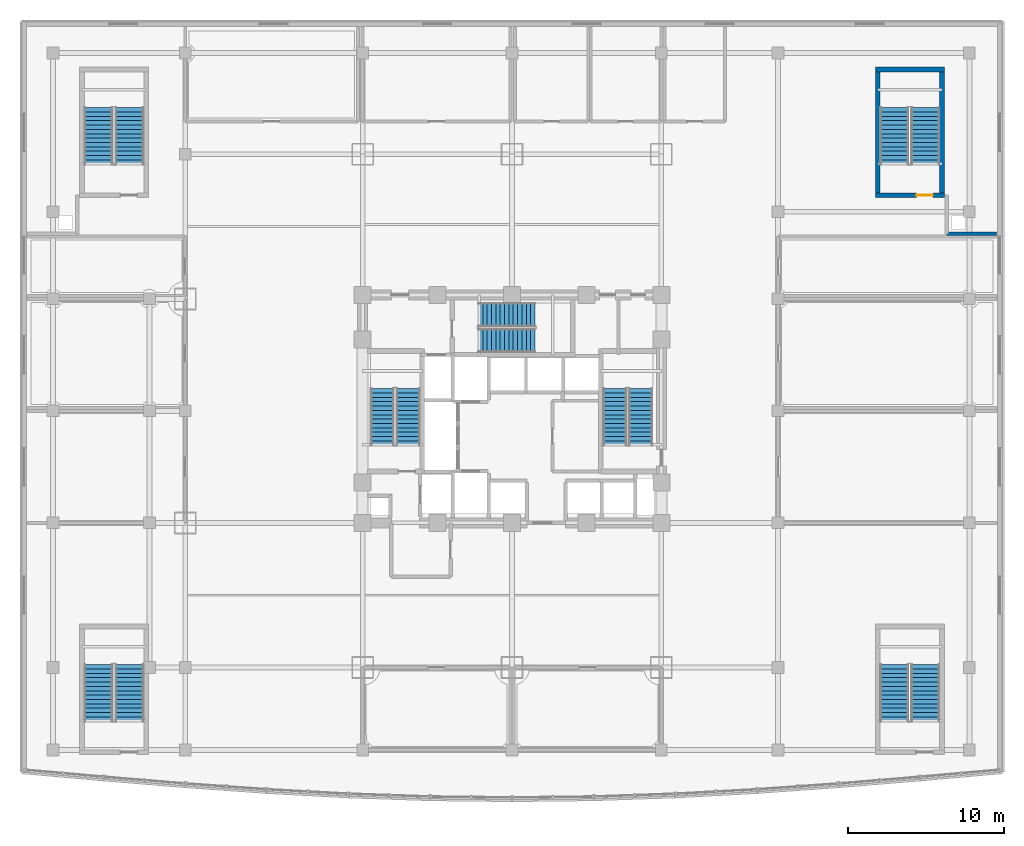
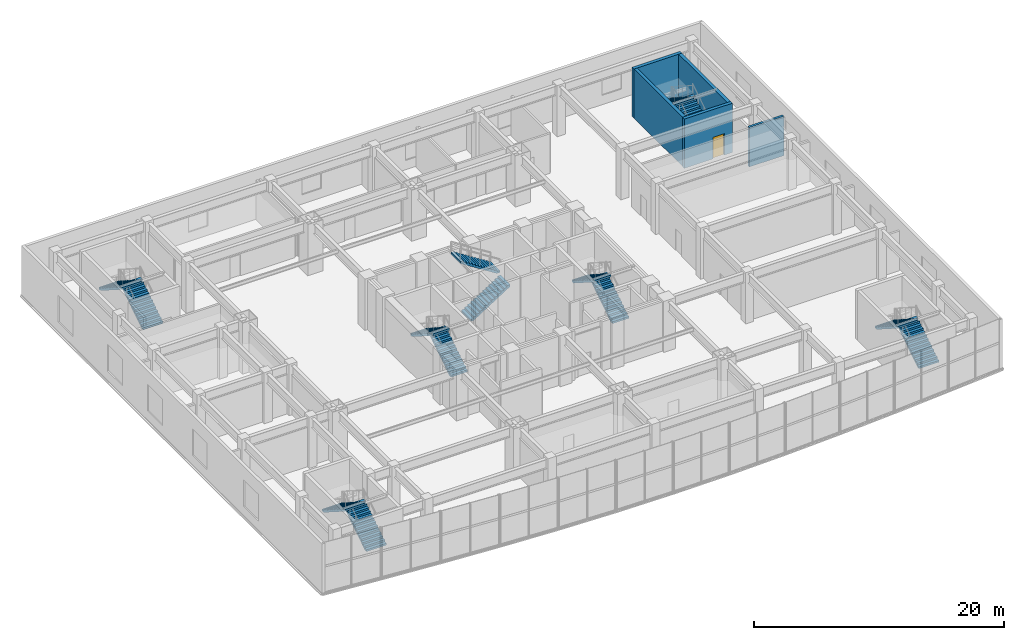
# One storey, part 15 of 24: 14 stair flights, 5 walls, 1 door, 1 opening, 7 elements without a shape of their own.
"""IFC4 building model written with IfcOpenShell, lengths in metres."""

from ifc_helpers import new_model, si_unit, direction, frame, frame_2d, origin, place, context, subcontext, project, spatial, polyline, rectangle, outline, extrude, material, layer, layer_set, type_object, element, fill, aggregate, save


model = new_model("IFC4")

# Units and contexts
model_context = context("Model", 3, precision=1e-05, world=origin(), true_north=direction((0.0, 1.0)))
body_context = subcontext(model_context, "Body", "Model", "MODEL_VIEW")
ifc_project = project(units=[si_unit("LENGTHUNIT", "METRE"), si_unit("AREAUNIT", "SQUARE_METRE"), si_unit("VOLUMEUNIT", "CUBIC_METRE"), si_unit("PLANEANGLEUNIT", "RADIAN"), si_unit("MASSUNIT", "GRAM", prefix="KILO")], contexts=[model_context])

# Site, building, storey
site_placement = place(None, origin())
site = spatial("IfcSite", under=ifc_project, at=site_placement, CompositionType="ELEMENT")
building_placement = place(site_placement, origin())
building = spatial("IfcBuilding", under=site, at=building_placement, Name="Vantalir Tower", CompositionType="ELEMENT")
storey_placement = place(building_placement, frame((0.0, 0.0, 11.0)))
storey = spatial("IfcBuildingStorey", under=building, at=storey_placement, Name="L02", CompositionType="ELEMENT", Elevation=11.0)

# Wall
ifc_material_1 = material(Name="Concrete blockwork with fireboard lining", Category="masonry")
ifc_layer_1 = layer(ifc_material_1, 0.219970703125)
ifc_layer_set_1 = layer_set([ifc_layer_1], Name="Concrete blockwork with fireboard lining")
wall_type_1 = type_object("IfcWallType", Name="WL-FFL-220", PredefinedType="PARTITIONING", material=ifc_layer_set_1)
wall_1_placement = place(storey_placement, frame((59.449951171875, 36.3798828125, 0.0), z_axis=(0.0, 0.0, 1.0), x_axis=(1.0, 0.0, 0.0)))
element("IfcWall", 1, at=wall_1_placement, inside=storey, type_object=wall_type_1, Name="Floor 2 North-East Service Riser South Wall", PredefinedType="PARTITIONING", context=body_context, shape_type="SweptSolid", body=[
    extrude(rectangle(XDim=3.199951171875, YDim=0.219970703125, at=frame_2d((1.60009765625, 0.0))), origin(), (0.0, 0.0, 1.0), 3.867919921875),
])

# Wall, opening, door
ifc_material_2 = material(Name="Concrete C50/60", Category="concrete")
ifc_layer_2 = layer(ifc_material_2, 0.300048828125)
ifc_layer_set_2 = layer_set([ifc_layer_2], Name="Concrete C50/60")
wall_type_2 = type_object("IfcWallType", Name="WL-STAIR-300", PredefinedType="SHEAR", material=ifc_layer_set_2)
wall_2_placement = place(storey_placement, frame((54.85009765625, 38.860107421875, 0.0), z_axis=(0.0, 0.0, 1.0), x_axis=(1.0, 0.0, 0.0)))
wall_2 = element("IfcWall", 2, at=wall_2_placement, inside=storey, type_object=wall_type_2, Name="Floor 2 PST2 South Wall", PredefinedType="SHEAR", context=body_context, shape_type="SweptSolid", body=[
    extrude(rectangle(XDim=4.449951171875, YDim=0.300048828125, at=frame_2d((2.22509765625, 0.0))), origin(), (0.0, 0.0, 1.0), 4.820068359375),
])
opening_placement = place(wall_2_placement, frame((2.64990234375, 0.0, 0.0)))
opening = element("IfcOpeningElement", 3, at=opening_placement, cuts=wall_2, Name="Opening D-ST", PredefinedType="OPENING", context=body_context, shape_type="SweptSolid", body=[
    extrude(rectangle(XDim=1.050048828125, YDim=2.10009765625, at=frame_2d((0.52490234375, 1.050048828125))), frame((0.0, 0.159912109375, 0.0), z_axis=(0.0, -1.0, 0.0), x_axis=(1.0, 0.0, 0.0)), (0.0, 0.0, 1.0), 0.320068359375),
])
ifc_material_3 = material(Name="Fire-rated steel door leaf", Category="steel")
door_type = type_object("IfcDoorType", Name="DR-FIRE-STAIR-1050", OperationType="NOTDEFINED", PredefinedType="DOOR", material=ifc_material_3)
door_placement = place(opening_placement, origin())
door = element("IfcDoor", 4, at=door_placement, inside=storey, type_object=door_type, Name="Floor 2 Podium Stair PST2 Fire Door", OperationType="SINGLE_SWING_LEFT", OverallHeight=2.10009765625, OverallWidth=1.050048828125, PredefinedType="DOOR", context=body_context, shape_type="SweptSolid", body=[
    extrude(rectangle(XDim=1.050048828125, YDim=2.10009765625, at=frame_2d((0.52490234375, 1.050048828125))), frame((0.0, 0.02490234375, 0.0), z_axis=(0.0, -1.0, 0.0), x_axis=(1.0, 0.0, 0.0)), (0.0, 0.0, 1.0), 0.050048828125),
])
fill(opening, door)

# Walls
wall_3_placement = place(storey_placement, frame((54.85009765625, 46.93994140625, 0.0), z_axis=(0.0, 0.0, 1.0), x_axis=(1.0, 0.0, 0.0)))
element("IfcWall", 5, at=wall_3_placement, inside=storey, type_object=wall_type_2, Name="Floor 2 PST2 North Wall", PredefinedType="SHEAR", context=body_context, shape_type="SweptSolid", body=[
    extrude(rectangle(XDim=4.449951171875, YDim=0.300048828125, at=frame_2d((2.22509765625, 0.0))), origin(), (0.0, 0.0, 1.0), 4.820068359375),
])
for number, where, z_axis, x_axis, name in (
    (6, (55.010009765625, 38.860107421875, 0.0), (0.0, 0.0, 1.0), (0.0, 1.0, 0.0), "Floor 2 PST2 West Wall"),
    (7, (59.139892578125, 38.860107421875, 0.0), (0.0, 0.0, 1.0), (0.0, 1.0, 0.0), "Floor 2 PST2 East Wall"),
):
    element("IfcWall", number, at=place(storey_placement, frame(where, z_axis=z_axis, x_axis=x_axis)), inside=storey, type_object=wall_type_2, Name=name, PredefinedType="SHEAR", context=body_context, shape_type="SweptSolid", body=[
        extrude(rectangle(XDim=8.079833984375, YDim=0.300048828125, at=frame_2d((4.0400390625, 0.0))), origin(), (0.0, 0.0, 1.0), 4.820068359375),
    ])

# Stair, stair flights
ifc_material_4 = material(Name="Concrete C40/50", Category="concrete")
stair_type_1 = type_object("IfcStairType", Name="STR-CORE-1450", PredefinedType="HALF_TURN_STAIR", material=ifc_material_4)
stair_1_placement = place(storey_placement, origin())
stair_1 = element("IfcStair", 8, at=stair_1_placement, inside=storey, type_object=stair_type_1, Name="Level 02 Core Exit Stair 1", PredefinedType="HALF_TURN_STAIR")
stair_flight_type_1 = type_object("IfcStairFlightType", Name="FLT-CORE-1450", PredefinedType="STRAIGHT", material=ifc_material_4)
stair_flight_1_placement = place(storey_placement, frame((24.830078125, 22.7900390625, 0.0), z_axis=(0.0, 0.0, 1.0), x_axis=(0.0, 1.0, 0.0)))
stair_flight_1 = element("IfcStairFlight", 9, at=stair_flight_1_placement, type_object=stair_flight_type_1, Name="ST1 flight 1", NumberOfRisers=14, NumberOfTreads=13, PredefinedType="STRAIGHT", RiserHeight=0.178571429, TreadLength=0.28, context=body_context, shape_type="SweptSolid", body=[
    extrude(outline(polyline([(0.0, 0.0), (0.0, 0.178466796875), (0.280029296875, 0.178466796875), (0.280029296875, 0.357177734375), (0.56005859375, 0.357177734375), (0.56005859375, 0.53564453125), (0.840087890625, 0.53564453125), (0.840087890625, 0.71435546875), (1.1201171875, 0.71435546875), (1.1201171875, 0.892822265625), (1.39990234375, 0.892822265625), (1.39990234375, 1.071533203125), (1.679931640625, 1.071533203125), (1.679931640625, 1.25), (1.9599609375, 1.25), (1.9599609375, 1.428466796875), (2.239990234375, 1.428466796875), (2.239990234375, 1.607177734375), (2.52001953125, 1.607177734375), (2.52001953125, 1.78564453125), (2.800048828125, 1.78564453125), (2.800048828125, 1.96435546875), (3.080078125, 1.96435546875), (3.080078125, 2.142822265625), (3.360107421875, 2.142822265625), (3.360107421875, 2.321533203125), (3.639892578125, 2.321533203125), (3.639892578125, 2.5), (3.639892578125, 2.1435546875), (0.27880859375, 0.0), (0.0, 0.0)])), frame((0.0, 0.77001953125, 0.0), z_axis=(0.0, -1.0, 0.0), x_axis=(1.0, 0.0, 0.0)), (0.0, 0.0, 1.0), 1.5400390625),
])
stair_flight_2_placement = place(storey_placement, frame((23.169921875, 26.429931640625, 2.5), z_axis=(0.0, 0.0, 1.0), x_axis=(0.0, -1.0, 0.0)))
stair_flight_2 = element("IfcStairFlight", 10, at=stair_flight_2_placement, type_object=stair_flight_type_1, Name="ST1 flight 2", NumberOfRisers=14, NumberOfTreads=13, PredefinedType="STRAIGHT", RiserHeight=0.178571429, TreadLength=0.28, context=body_context, shape_type="SweptSolid", body=[
    extrude(outline(polyline([(0.0, 0.0), (0.0, 0.178466796875), (0.280029296875, 0.178466796875), (0.280029296875, 0.357177734375), (0.56005859375, 0.357177734375), (0.56005859375, 0.53564453125), (0.840087890625, 0.53564453125), (0.840087890625, 0.71435546875), (1.1201171875, 0.71435546875), (1.1201171875, 0.892822265625), (1.39990234375, 0.892822265625), (1.39990234375, 1.071533203125), (1.679931640625, 1.071533203125), (1.679931640625, 1.25), (1.9599609375, 1.25), (1.9599609375, 1.428466796875), (2.239990234375, 1.428466796875), (2.239990234375, 1.607177734375), (2.52001953125, 1.607177734375), (2.52001953125, 1.78564453125), (2.800048828125, 1.78564453125), (2.800048828125, 1.96435546875), (3.080078125, 1.96435546875), (3.080078125, 2.142822265625), (3.360107421875, 2.142822265625), (3.360107421875, 2.321533203125), (3.639892578125, 2.321533203125), (3.639892578125, 2.5), (3.639892578125, 2.1435546875), (0.27880859375, 0.0), (0.0, 0.0)])), frame((0.0, 0.77001953125, 0.0), z_axis=(0.0, -1.0, 0.0), x_axis=(1.0, 0.0, 0.0)), (0.0, 0.0, 1.0), 1.5400390625),
])
aggregate(stair_1, [stair_flight_1, stair_flight_2])

stair_2_placement = place(storey_placement, origin())
stair_2 = element("IfcStair", 11, at=stair_2_placement, inside=storey, type_object=stair_type_1, Name="Level 02 Core Exit Stair 2", PredefinedType="HALF_TURN_STAIR")
stair_flight_3_placement = place(storey_placement, frame((39.780029296875, 22.7900390625, 0.0), z_axis=(0.0, 0.0, 1.0), x_axis=(0.0, 1.0, 0.0)))
stair_flight_3 = element("IfcStairFlight", 12, at=stair_flight_3_placement, type_object=stair_flight_type_1, Name="ST2 flight 1", NumberOfRisers=14, NumberOfTreads=13, PredefinedType="STRAIGHT", RiserHeight=0.178571429, TreadLength=0.28, context=body_context, shape_type="SweptSolid", body=[
    extrude(outline(polyline([(0.0, 0.0), (0.0, 0.178466796875), (0.280029296875, 0.178466796875), (0.280029296875, 0.357177734375), (0.56005859375, 0.357177734375), (0.56005859375, 0.53564453125), (0.840087890625, 0.53564453125), (0.840087890625, 0.71435546875), (1.1201171875, 0.71435546875), (1.1201171875, 0.892822265625), (1.39990234375, 0.892822265625), (1.39990234375, 1.071533203125), (1.679931640625, 1.071533203125), (1.679931640625, 1.25), (1.9599609375, 1.25), (1.9599609375, 1.428466796875), (2.239990234375, 1.428466796875), (2.239990234375, 1.607177734375), (2.52001953125, 1.607177734375), (2.52001953125, 1.78564453125), (2.800048828125, 1.78564453125), (2.800048828125, 1.96435546875), (3.080078125, 1.96435546875), (3.080078125, 2.142822265625), (3.360107421875, 2.142822265625), (3.360107421875, 2.321533203125), (3.639892578125, 2.321533203125), (3.639892578125, 2.5), (3.639892578125, 2.1435546875), (0.27880859375, 0.0), (0.0, 0.0)])), frame((0.0, 0.77001953125, 0.0), z_axis=(0.0, -1.0, 0.0), x_axis=(1.0, 0.0, 0.0)), (0.0, 0.0, 1.0), 1.5400390625),
])
stair_flight_4_placement = place(storey_placement, frame((38.1201171875, 26.429931640625, 2.5), z_axis=(0.0, 0.0, 1.0), x_axis=(0.0, -1.0, 0.0)))
stair_flight_4 = element("IfcStairFlight", 13, at=stair_flight_4_placement, type_object=stair_flight_type_1, Name="ST2 flight 2", NumberOfRisers=14, NumberOfTreads=13, PredefinedType="STRAIGHT", RiserHeight=0.178571429, TreadLength=0.28, context=body_context, shape_type="SweptSolid", body=[
    extrude(outline(polyline([(0.0, 0.0), (0.0, 0.178466796875), (0.280029296875, 0.178466796875), (0.280029296875, 0.357177734375), (0.56005859375, 0.357177734375), (0.56005859375, 0.53564453125), (0.840087890625, 0.53564453125), (0.840087890625, 0.71435546875), (1.1201171875, 0.71435546875), (1.1201171875, 0.892822265625), (1.39990234375, 0.892822265625), (1.39990234375, 1.071533203125), (1.679931640625, 1.071533203125), (1.679931640625, 1.25), (1.9599609375, 1.25), (1.9599609375, 1.428466796875), (2.239990234375, 1.428466796875), (2.239990234375, 1.607177734375), (2.52001953125, 1.607177734375), (2.52001953125, 1.78564453125), (2.800048828125, 1.78564453125), (2.800048828125, 1.96435546875), (3.080078125, 1.96435546875), (3.080078125, 2.142822265625), (3.360107421875, 2.142822265625), (3.360107421875, 2.321533203125), (3.639892578125, 2.321533203125), (3.639892578125, 2.5), (3.639892578125, 2.1435546875), (0.27880859375, 0.0), (0.0, 0.0)])), frame((0.0, 0.77001953125, 0.0), z_axis=(0.0, -1.0, 0.0), x_axis=(1.0, 0.0, 0.0)), (0.0, 0.0, 1.0), 1.5400390625),
])
aggregate(stair_2, [stair_flight_3, stair_flight_4])

stair_3_placement = place(storey_placement, origin())
stair_3 = element("IfcStair", 14, at=stair_3_placement, inside=storey, type_object=stair_type_1, Name="Level 02 Core Exit Stair 3", PredefinedType="HALF_TURN_STAIR")
stair_flight_5_placement = place(storey_placement, frame((29.340087890625, 29.52001953125, 0.0), z_axis=(0.0, 0.0, 1.0), x_axis=(1.0, 0.0, 0.0)))
stair_flight_5 = element("IfcStairFlight", 15, at=stair_flight_5_placement, type_object=stair_flight_type_1, Name="ST3 flight 1", NumberOfRisers=14, NumberOfTreads=13, PredefinedType="STRAIGHT", RiserHeight=0.178571429, TreadLength=0.28, context=body_context, shape_type="SweptSolid", body=[
    extrude(outline(polyline([(0.0, 0.0), (0.0, 0.178466796875), (0.280029296875, 0.178466796875), (0.280029296875, 0.357177734375), (0.56005859375, 0.357177734375), (0.56005859375, 0.53564453125), (0.840087890625, 0.53564453125), (0.840087890625, 0.71435546875), (1.1201171875, 0.71435546875), (1.1201171875, 0.892822265625), (1.39990234375, 0.892822265625), (1.39990234375, 1.071533203125), (1.679931640625, 1.071533203125), (1.679931640625, 1.25), (1.9599609375, 1.25), (1.9599609375, 1.428466796875), (2.239990234375, 1.428466796875), (2.239990234375, 1.607177734375), (2.52001953125, 1.607177734375), (2.52001953125, 1.78564453125), (2.800048828125, 1.78564453125), (2.800048828125, 1.96435546875), (3.080078125, 1.96435546875), (3.080078125, 2.142822265625), (3.360107421875, 2.142822265625), (3.360107421875, 2.321533203125), (3.639892578125, 2.321533203125), (3.639892578125, 2.5), (3.639892578125, 2.1435546875), (0.27880859375, 0.0), (0.0, 0.0)])), frame((0.0, 0.77001953125, 0.0), z_axis=(0.0, -1.0, 0.0), x_axis=(1.0, 0.0, 0.0)), (0.0, 0.0, 1.0), 1.5400390625),
])
stair_flight_6_placement = place(storey_placement, frame((32.97998046875, 31.179931640625, 2.5), z_axis=(0.0, 0.0, 1.0), x_axis=(-1.0, 0.0, 0.0)))
stair_flight_6 = element("IfcStairFlight", 16, at=stair_flight_6_placement, type_object=stair_flight_type_1, Name="ST3 flight 2", NumberOfRisers=14, NumberOfTreads=13, PredefinedType="STRAIGHT", RiserHeight=0.178571429, TreadLength=0.28, context=body_context, shape_type="SweptSolid", body=[
    extrude(outline(polyline([(0.0, 0.0), (0.0, 0.178466796875), (0.280029296875, 0.178466796875), (0.280029296875, 0.357177734375), (0.56005859375, 0.357177734375), (0.56005859375, 0.53564453125), (0.840087890625, 0.53564453125), (0.840087890625, 0.71435546875), (1.1201171875, 0.71435546875), (1.1201171875, 0.892822265625), (1.39990234375, 0.892822265625), (1.39990234375, 1.071533203125), (1.679931640625, 1.071533203125), (1.679931640625, 1.25), (1.9599609375, 1.25), (1.9599609375, 1.428466796875), (2.239990234375, 1.428466796875), (2.239990234375, 1.607177734375), (2.52001953125, 1.607177734375), (2.52001953125, 1.78564453125), (2.800048828125, 1.78564453125), (2.800048828125, 1.96435546875), (3.080078125, 1.96435546875), (3.080078125, 2.142822265625), (3.360107421875, 2.142822265625), (3.360107421875, 2.321533203125), (3.639892578125, 2.321533203125), (3.639892578125, 2.5), (3.639892578125, 2.1435546875), (0.27880859375, 0.0), (0.0, 0.0)])), frame((0.0, 0.77001953125, 0.0), z_axis=(0.0, -1.0, 0.0), x_axis=(1.0, 0.0, 0.0)), (0.0, 0.0, 1.0), 1.5400390625),
])
aggregate(stair_3, [stair_flight_5, stair_flight_6])

stair_type_2 = type_object("IfcStairType", Name="STR-POD-1550", PredefinedType="HALF_TURN_STAIR", material=ifc_material_4)
stair_4_placement = place(storey_placement, origin())
stair_4 = element("IfcStair", 17, at=stair_4_placement, inside=storey, type_object=stair_type_2, Name="Level 02 Podium Exit Stair 1", PredefinedType="HALF_TURN_STAIR")
stair_flight_type_2 = type_object("IfcStairFlightType", Name="FLT-POD-1550", PredefinedType="STRAIGHT", material=ifc_material_4)
stair_flight_7_placement = place(storey_placement, frame((6.925048828125, 40.85009765625, 0.0), z_axis=(0.0, 0.0, 1.0), x_axis=(0.0, 1.0, 0.0)))
stair_flight_7 = element("IfcStairFlight", 18, at=stair_flight_7_placement, type_object=stair_flight_type_2, Name="PST1 flight 1", NumberOfRisers=14, NumberOfTreads=13, PredefinedType="STRAIGHT", RiserHeight=0.178571429, TreadLength=0.28, context=body_context, shape_type="SweptSolid", body=[
    extrude(outline(polyline([(0.0, 0.0), (0.0, 0.178466796875), (0.280029296875, 0.178466796875), (0.280029296875, 0.357177734375), (0.56005859375, 0.357177734375), (0.56005859375, 0.53564453125), (0.840087890625, 0.53564453125), (0.840087890625, 0.71435546875), (1.1201171875, 0.71435546875), (1.1201171875, 0.892822265625), (1.39990234375, 0.892822265625), (1.39990234375, 1.071533203125), (1.679931640625, 1.071533203125), (1.679931640625, 1.25), (1.9599609375, 1.25), (1.9599609375, 1.428466796875), (2.239990234375, 1.428466796875), (2.239990234375, 1.607177734375), (2.52001953125, 1.607177734375), (2.52001953125, 1.78564453125), (2.800048828125, 1.78564453125), (2.800048828125, 1.96435546875), (3.080078125, 1.96435546875), (3.080078125, 2.142822265625), (3.360107421875, 2.142822265625), (3.360107421875, 2.321533203125), (3.639892578125, 2.321533203125), (3.639892578125, 2.5), (3.639892578125, 2.1435546875), (0.27880859375, 0.0), (0.0, 0.0)])), frame((0.0, 0.925048828125, 0.0), z_axis=(0.0, -1.0, 0.0), x_axis=(1.0, 0.0, 0.0)), (0.0, 0.0, 1.0), 1.85009765625),
])
stair_flight_8_placement = place(storey_placement, frame((4.925048828125, 44.489990234375, 2.5), z_axis=(0.0, 0.0, 1.0), x_axis=(0.0, -1.0, 0.0)))
stair_flight_8 = element("IfcStairFlight", 19, at=stair_flight_8_placement, type_object=stair_flight_type_2, Name="PST1 flight 2", NumberOfRisers=14, NumberOfTreads=13, PredefinedType="STRAIGHT", RiserHeight=0.178571429, TreadLength=0.28, context=body_context, shape_type="SweptSolid", body=[
    extrude(outline(polyline([(0.0, 0.0), (0.0, 0.178466796875), (0.280029296875, 0.178466796875), (0.280029296875, 0.357177734375), (0.56005859375, 0.357177734375), (0.56005859375, 0.53564453125), (0.840087890625, 0.53564453125), (0.840087890625, 0.71435546875), (1.1201171875, 0.71435546875), (1.1201171875, 0.892822265625), (1.39990234375, 0.892822265625), (1.39990234375, 1.071533203125), (1.679931640625, 1.071533203125), (1.679931640625, 1.25), (1.9599609375, 1.25), (1.9599609375, 1.428466796875), (2.239990234375, 1.428466796875), (2.239990234375, 1.607177734375), (2.52001953125, 1.607177734375), (2.52001953125, 1.78564453125), (2.800048828125, 1.78564453125), (2.800048828125, 1.96435546875), (3.080078125, 1.96435546875), (3.080078125, 2.142822265625), (3.360107421875, 2.142822265625), (3.360107421875, 2.321533203125), (3.639892578125, 2.321533203125), (3.639892578125, 2.5), (3.639892578125, 2.1435546875), (0.27880859375, 0.0), (0.0, 0.0)])), frame((0.0, 0.925048828125, 0.0), z_axis=(0.0, -1.0, 0.0), x_axis=(1.0, 0.0, 0.0)), (0.0, 0.0, 1.0), 1.85009765625),
])
aggregate(stair_4, [stair_flight_7, stair_flight_8])

stair_5_placement = place(storey_placement, origin())
stair_5 = element("IfcStair", 20, at=stair_5_placement, inside=storey, type_object=stair_type_2, Name="Level 02 Podium Exit Stair 2", PredefinedType="HALF_TURN_STAIR")
stair_flight_9_placement = place(storey_placement, frame((58.074951171875, 40.85009765625, 0.0), z_axis=(0.0, 0.0, 1.0), x_axis=(0.0, 1.0, 0.0)))
stair_flight_9 = element("IfcStairFlight", 21, at=stair_flight_9_placement, type_object=stair_flight_type_2, Name="PST2 flight 1", NumberOfRisers=14, NumberOfTreads=13, PredefinedType="STRAIGHT", RiserHeight=0.178571429, TreadLength=0.28, context=body_context, shape_type="SweptSolid", body=[
    extrude(outline(polyline([(0.0, 0.0), (0.0, 0.178466796875), (0.280029296875, 0.178466796875), (0.280029296875, 0.357177734375), (0.56005859375, 0.357177734375), (0.56005859375, 0.53564453125), (0.840087890625, 0.53564453125), (0.840087890625, 0.71435546875), (1.1201171875, 0.71435546875), (1.1201171875, 0.892822265625), (1.39990234375, 0.892822265625), (1.39990234375, 1.071533203125), (1.679931640625, 1.071533203125), (1.679931640625, 1.25), (1.9599609375, 1.25), (1.9599609375, 1.428466796875), (2.239990234375, 1.428466796875), (2.239990234375, 1.607177734375), (2.52001953125, 1.607177734375), (2.52001953125, 1.78564453125), (2.800048828125, 1.78564453125), (2.800048828125, 1.96435546875), (3.080078125, 1.96435546875), (3.080078125, 2.142822265625), (3.360107421875, 2.142822265625), (3.360107421875, 2.321533203125), (3.639892578125, 2.321533203125), (3.639892578125, 2.5), (3.639892578125, 2.1435546875), (0.27880859375, 0.0), (0.0, 0.0)])), frame((0.0, 0.925048828125, 0.0), z_axis=(0.0, -1.0, 0.0), x_axis=(1.0, 0.0, 0.0)), (0.0, 0.0, 1.0), 1.85009765625),
])
stair_flight_10_placement = place(storey_placement, frame((56.074951171875, 44.489990234375, 2.5), z_axis=(0.0, 0.0, 1.0), x_axis=(0.0, -1.0, 0.0)))
stair_flight_10 = element("IfcStairFlight", 22, at=stair_flight_10_placement, type_object=stair_flight_type_2, Name="PST2 flight 2", NumberOfRisers=14, NumberOfTreads=13, PredefinedType="STRAIGHT", RiserHeight=0.178571429, TreadLength=0.28, context=body_context, shape_type="SweptSolid", body=[
    extrude(outline(polyline([(0.0, 0.0), (0.0, 0.178466796875), (0.280029296875, 0.178466796875), (0.280029296875, 0.357177734375), (0.56005859375, 0.357177734375), (0.56005859375, 0.53564453125), (0.840087890625, 0.53564453125), (0.840087890625, 0.71435546875), (1.1201171875, 0.71435546875), (1.1201171875, 0.892822265625), (1.39990234375, 0.892822265625), (1.39990234375, 1.071533203125), (1.679931640625, 1.071533203125), (1.679931640625, 1.25), (1.9599609375, 1.25), (1.9599609375, 1.428466796875), (2.239990234375, 1.428466796875), (2.239990234375, 1.607177734375), (2.52001953125, 1.607177734375), (2.52001953125, 1.78564453125), (2.800048828125, 1.78564453125), (2.800048828125, 1.96435546875), (3.080078125, 1.96435546875), (3.080078125, 2.142822265625), (3.360107421875, 2.142822265625), (3.360107421875, 2.321533203125), (3.639892578125, 2.321533203125), (3.639892578125, 2.5), (3.639892578125, 2.1435546875), (0.27880859375, 0.0), (0.0, 0.0)])), frame((0.0, 0.925048828125, 0.0), z_axis=(0.0, -1.0, 0.0), x_axis=(1.0, 0.0, 0.0)), (0.0, 0.0, 1.0), 1.85009765625),
])
aggregate(stair_5, [stair_flight_9, stair_flight_10])

stair_6_placement = place(storey_placement, origin())
stair_6 = element("IfcStair", 23, at=stair_6_placement, inside=storey, type_object=stair_type_2, Name="Level 02 Podium Exit Stair 3", PredefinedType="HALF_TURN_STAIR")
stair_flight_11_placement = place(storey_placement, frame((6.925048828125, 5.050048828125, 0.0), z_axis=(0.0, 0.0, 1.0), x_axis=(0.0, 1.0, 0.0)))
stair_flight_11 = element("IfcStairFlight", 24, at=stair_flight_11_placement, type_object=stair_flight_type_2, Name="PST3 flight 1", NumberOfRisers=14, NumberOfTreads=13, PredefinedType="STRAIGHT", RiserHeight=0.178571429, TreadLength=0.28, context=body_context, shape_type="SweptSolid", body=[
    extrude(outline(polyline([(0.0, 0.0), (0.0, 0.178466796875), (0.280029296875, 0.178466796875), (0.280029296875, 0.357177734375), (0.56005859375, 0.357177734375), (0.56005859375, 0.53564453125), (0.840087890625, 0.53564453125), (0.840087890625, 0.71435546875), (1.1201171875, 0.71435546875), (1.1201171875, 0.892822265625), (1.39990234375, 0.892822265625), (1.39990234375, 1.071533203125), (1.679931640625, 1.071533203125), (1.679931640625, 1.25), (1.9599609375, 1.25), (1.9599609375, 1.428466796875), (2.239990234375, 1.428466796875), (2.239990234375, 1.607177734375), (2.52001953125, 1.607177734375), (2.52001953125, 1.78564453125), (2.800048828125, 1.78564453125), (2.800048828125, 1.96435546875), (3.080078125, 1.96435546875), (3.080078125, 2.142822265625), (3.360107421875, 2.142822265625), (3.360107421875, 2.321533203125), (3.639892578125, 2.321533203125), (3.639892578125, 2.5), (3.639892578125, 2.1435546875), (0.27880859375, 0.0), (0.0, 0.0)])), frame((0.0, 0.925048828125, 0.0), z_axis=(0.0, -1.0, 0.0), x_axis=(1.0, 0.0, 0.0)), (0.0, 0.0, 1.0), 1.85009765625),
])
stair_flight_12_placement = place(storey_placement, frame((4.925048828125, 8.68994140625, 2.5), z_axis=(0.0, 0.0, 1.0), x_axis=(0.0, -1.0, 0.0)))
stair_flight_12 = element("IfcStairFlight", 25, at=stair_flight_12_placement, type_object=stair_flight_type_2, Name="PST3 flight 2", NumberOfRisers=14, NumberOfTreads=13, PredefinedType="STRAIGHT", RiserHeight=0.178571429, TreadLength=0.28, context=body_context, shape_type="SweptSolid", body=[
    extrude(outline(polyline([(0.0, 0.0), (0.0, 0.178466796875), (0.280029296875, 0.178466796875), (0.280029296875, 0.357177734375), (0.56005859375, 0.357177734375), (0.56005859375, 0.53564453125), (0.840087890625, 0.53564453125), (0.840087890625, 0.71435546875), (1.1201171875, 0.71435546875), (1.1201171875, 0.892822265625), (1.39990234375, 0.892822265625), (1.39990234375, 1.071533203125), (1.679931640625, 1.071533203125), (1.679931640625, 1.25), (1.9599609375, 1.25), (1.9599609375, 1.428466796875), (2.239990234375, 1.428466796875), (2.239990234375, 1.607177734375), (2.52001953125, 1.607177734375), (2.52001953125, 1.78564453125), (2.800048828125, 1.78564453125), (2.800048828125, 1.96435546875), (3.080078125, 1.96435546875), (3.080078125, 2.142822265625), (3.360107421875, 2.142822265625), (3.360107421875, 2.321533203125), (3.639892578125, 2.321533203125), (3.639892578125, 2.5), (3.639892578125, 2.1435546875), (0.27880859375, 0.0), (0.0, 0.0)])), frame((0.0, 0.925048828125, 0.0), z_axis=(0.0, -1.0, 0.0), x_axis=(1.0, 0.0, 0.0)), (0.0, 0.0, 1.0), 1.85009765625),
])
aggregate(stair_6, [stair_flight_11, stair_flight_12])

stair_7_placement = place(storey_placement, origin())
stair_7 = element("IfcStair", 26, at=stair_7_placement, inside=storey, type_object=stair_type_2, Name="Level 02 Podium Exit Stair 4", PredefinedType="HALF_TURN_STAIR")
stair_flight_13_placement = place(storey_placement, frame((58.074951171875, 5.050048828125, 0.0), z_axis=(0.0, 0.0, 1.0), x_axis=(0.0, 1.0, 0.0)))
stair_flight_13 = element("IfcStairFlight", 27, at=stair_flight_13_placement, type_object=stair_flight_type_2, Name="PST4 flight 1", NumberOfRisers=14, NumberOfTreads=13, PredefinedType="STRAIGHT", RiserHeight=0.178571429, TreadLength=0.28, context=body_context, shape_type="SweptSolid", body=[
    extrude(outline(polyline([(0.0, 0.0), (0.0, 0.178466796875), (0.280029296875, 0.178466796875), (0.280029296875, 0.357177734375), (0.56005859375, 0.357177734375), (0.56005859375, 0.53564453125), (0.840087890625, 0.53564453125), (0.840087890625, 0.71435546875), (1.1201171875, 0.71435546875), (1.1201171875, 0.892822265625), (1.39990234375, 0.892822265625), (1.39990234375, 1.071533203125), (1.679931640625, 1.071533203125), (1.679931640625, 1.25), (1.9599609375, 1.25), (1.9599609375, 1.428466796875), (2.239990234375, 1.428466796875), (2.239990234375, 1.607177734375), (2.52001953125, 1.607177734375), (2.52001953125, 1.78564453125), (2.800048828125, 1.78564453125), (2.800048828125, 1.96435546875), (3.080078125, 1.96435546875), (3.080078125, 2.142822265625), (3.360107421875, 2.142822265625), (3.360107421875, 2.321533203125), (3.639892578125, 2.321533203125), (3.639892578125, 2.5), (3.639892578125, 2.1435546875), (0.27880859375, 0.0), (0.0, 0.0)])), frame((0.0, 0.925048828125, 0.0), z_axis=(0.0, -1.0, 0.0), x_axis=(1.0, 0.0, 0.0)), (0.0, 0.0, 1.0), 1.85009765625),
])
stair_flight_14_placement = place(storey_placement, frame((56.074951171875, 8.68994140625, 2.5), z_axis=(0.0, 0.0, 1.0), x_axis=(0.0, -1.0, 0.0)))
stair_flight_14 = element("IfcStairFlight", 28, at=stair_flight_14_placement, type_object=stair_flight_type_2, Name="PST4 flight 2", NumberOfRisers=14, NumberOfTreads=13, PredefinedType="STRAIGHT", RiserHeight=0.178571429, TreadLength=0.28, context=body_context, shape_type="SweptSolid", body=[
    extrude(outline(polyline([(0.0, 0.0), (0.0, 0.178466796875), (0.280029296875, 0.178466796875), (0.280029296875, 0.357177734375), (0.56005859375, 0.357177734375), (0.56005859375, 0.53564453125), (0.840087890625, 0.53564453125), (0.840087890625, 0.71435546875), (1.1201171875, 0.71435546875), (1.1201171875, 0.892822265625), (1.39990234375, 0.892822265625), (1.39990234375, 1.071533203125), (1.679931640625, 1.071533203125), (1.679931640625, 1.25), (1.9599609375, 1.25), (1.9599609375, 1.428466796875), (2.239990234375, 1.428466796875), (2.239990234375, 1.607177734375), (2.52001953125, 1.607177734375), (2.52001953125, 1.78564453125), (2.800048828125, 1.78564453125), (2.800048828125, 1.96435546875), (3.080078125, 1.96435546875), (3.080078125, 2.142822265625), (3.360107421875, 2.142822265625), (3.360107421875, 2.321533203125), (3.639892578125, 2.321533203125), (3.639892578125, 2.5), (3.639892578125, 2.1435546875), (0.27880859375, 0.0), (0.0, 0.0)])), frame((0.0, 0.925048828125, 0.0), z_axis=(0.0, -1.0, 0.0), x_axis=(1.0, 0.0, 0.0)), (0.0, 0.0, 1.0), 1.85009765625),
])
aggregate(stair_7, [stair_flight_13, stair_flight_14])

save(model, "model.ifc")
